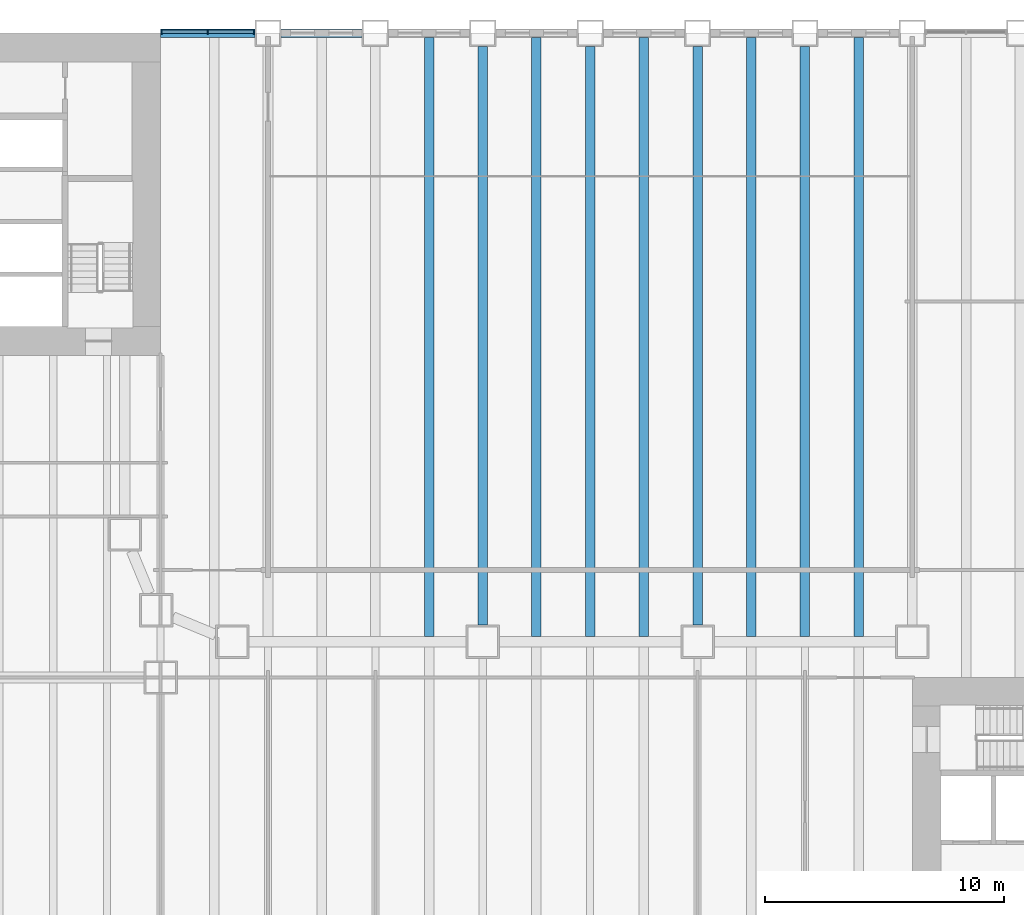
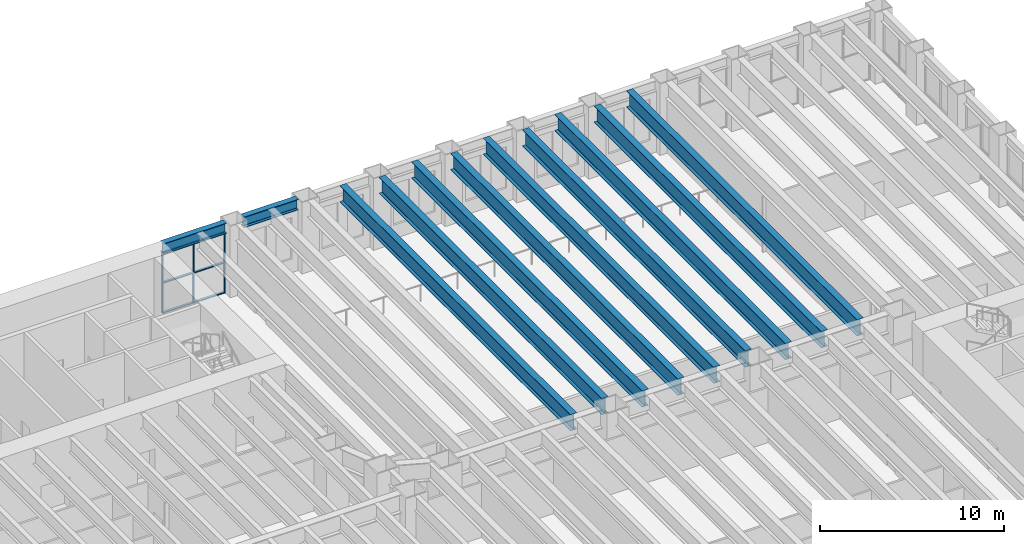
# One storey, part 2 of 19: 11 beams, 9 members, 1 element without a shape of its own.
"""IFC4 building model written with IfcOpenShell, lengths in metres."""

from ifc_helpers import new_model, si_unit, direction, frame, origin, origin_2d, place, context, subcontext, project, spatial, rectangle, i_section, extrude, material, material_profile, profile_set, type_object, element, aggregate, save


model = new_model("IFC4")

# Units and contexts
model_context = context("Model", 3, precision=1e-05, world=origin(), true_north=direction((0.0, 1.0)))
body_context = subcontext(model_context, "Body", "Model", "MODEL_VIEW")
ifc_project = project(units=[si_unit("LENGTHUNIT", "METRE"), si_unit("AREAUNIT", "SQUARE_METRE"), si_unit("VOLUMEUNIT", "CUBIC_METRE"), si_unit("PLANEANGLEUNIT", "RADIAN"), si_unit("MASSUNIT", "GRAM", prefix="KILO")], contexts=[model_context])

# Site, building, storey
site_placement = place(None, origin())
site = spatial("IfcSite", under=ifc_project, at=site_placement, CompositionType="ELEMENT")
building_placement = place(site_placement, origin())
building = spatial("IfcBuilding", under=site, at=building_placement, Name="Sennacour Bend Tower", CompositionType="ELEMENT")
storey_placement = place(building_placement, frame((0.0, 0.0, 14.0)))
storey = spatial("IfcBuildingStorey", under=building, at=storey_placement, Name="L02", CompositionType="ELEMENT", Elevation=14.0)

# Curtain wall, members
ifc_material_1 = material(Name="Bronze anodised aluminium curtain wall with clear glass", Category="aluminium")
curtain_wall_type = type_object("IfcCurtainWallType", Name="CURTAIN WALL NOTCH", PredefinedType="NOTDEFINED", material=ifc_material_1)
curtain_wall_placement = place(storey_placement, origin())
curtain_wall = element("IfcCurtainWall", 1, at=curtain_wall_placement, inside=storey, type_object=curtain_wall_type, Name="Podium glass wall L02", PredefinedType="NOTDEFINED")
ifc_material_2 = material(Name="Aluminium 6063-T6", Category="aluminium")
ifc_material_profile_1 = material_profile(ifc_material_2, rectangle(XDim=0.199951171875, YDim=0.06005859375, at=origin_2d()), Name="Aluminium 6063-T6", Category="aluminium")
ifc_profile_set_1 = profile_set([ifc_material_profile_1], Name="Aluminium 6063-T6")
member_type_1 = type_object("IfcMemberType", Name="CW-MULLION-200X60", PredefinedType="MULLION", material=ifc_profile_set_1)
member_1_placement = place(storey_placement, frame((26.419921875, 49.550048828125, 0.0), z_axis=(0.0, 0.0, 1.0), x_axis=(0.0, -1.0, 0.0)))
member_1 = element("IfcMember", 2, at=member_1_placement, type_object=member_type_1, Name="GW2 curtain wall mullion 1", PredefinedType="MULLION", context=body_context, shape_type="SweptSolid", body=[
    extrude(rectangle(XDim=0.199951171875, YDim=0.06005859375, at=origin_2d()), origin(), (0.0, 0.0, 1.0), 4.035888671875),
])
member_2_placement = place(storey_placement, frame((24.4755859375, 49.550048828125, 0.0), z_axis=(0.0, 0.0, 1.0), x_axis=(0.0, -1.0, 0.0)))
member_2 = element("IfcMember", 3, at=member_2_placement, type_object=member_type_1, Name="GW2 curtain wall mullion 2", PredefinedType="MULLION", context=body_context, shape_type="SweptSolid", body=[
    extrude(rectangle(XDim=0.199951171875, YDim=0.06005859375, at=origin_2d()), origin(), (0.0, 0.0, 1.0), 4.035888671875),
])
member_3_placement = place(storey_placement, frame((22.531005859375, 49.550048828125, 0.0), z_axis=(0.0, 0.0, 1.0), x_axis=(0.0, -1.0, 0.0)))
member_3 = element("IfcMember", 4, at=member_3_placement, type_object=member_type_1, Name="GW2 curtain wall mullion 3", PredefinedType="MULLION", context=body_context, shape_type="SweptSolid", body=[
    extrude(rectangle(XDim=0.199951171875, YDim=0.06005859375, at=origin_2d()), origin(), (0.0, 0.0, 1.0), 4.035888671875),
])
ifc_material_profile_2 = material_profile(ifc_material_2, rectangle(XDim=0.14990234375, YDim=0.06005859375, at=origin_2d()), Name="Aluminium 6063-T6", Category="aluminium")
ifc_profile_set_2 = profile_set([ifc_material_profile_2], Name="Aluminium 6063-T6")
member_type_2 = type_object("IfcMemberType", Name="CW-TRANSOM-150X60", PredefinedType="USERDEFINED", material=ifc_profile_set_2)
member_4_placement = place(storey_placement, frame((26.389892578125, 49.550048828125, 0.030029296875), z_axis=(-1.0, 0.0, 0.0), x_axis=(0.0, -1.0, 0.0)))
member_4 = element("IfcMember", 5, at=member_4_placement, type_object=member_type_2, Name="GW2 curtain wall transom 1.1", ObjectType="TRANSOM", PredefinedType="USERDEFINED", context=body_context, shape_type="SweptSolid", body=[
    extrude(rectangle(XDim=0.14990234375, YDim=0.06005859375, at=origin_2d()), origin(), (0.0, 0.0, 1.0), 1.88427734375),
])
member_5_placement = place(storey_placement, frame((26.389892578125, 49.550048828125, 2.01806640625), z_axis=(-1.0, 0.0, 0.0), x_axis=(0.0, -1.0, 0.0)))
member_5 = element("IfcMember", 6, at=member_5_placement, type_object=member_type_2, Name="GW2 curtain wall transom 1.2", ObjectType="TRANSOM", PredefinedType="USERDEFINED", context=body_context, shape_type="SweptSolid", body=[
    extrude(rectangle(XDim=0.14990234375, YDim=0.06005859375, at=origin_2d()), origin(), (0.0, 0.0, 1.0), 1.88427734375),
])
member_6_placement = place(storey_placement, frame((26.389892578125, 49.550048828125, 4.006103515625), z_axis=(-1.0, 0.0, 0.0), x_axis=(0.0, -1.0, 0.0)))
member_6 = element("IfcMember", 7, at=member_6_placement, type_object=member_type_2, Name="GW2 curtain wall transom 1.3", ObjectType="TRANSOM", PredefinedType="USERDEFINED", context=body_context, shape_type="SweptSolid", body=[
    extrude(rectangle(XDim=0.14990234375, YDim=0.06005859375, at=origin_2d()), origin(), (0.0, 0.0, 1.0), 1.88427734375),
])
member_7_placement = place(storey_placement, frame((24.445556640625, 49.550048828125, 0.030029296875), z_axis=(-1.0, 0.0, 0.0), x_axis=(0.0, -1.0, 0.0)))
member_7 = element("IfcMember", 8, at=member_7_placement, type_object=member_type_2, Name="GW2 curtain wall transom 2.1", ObjectType="TRANSOM", PredefinedType="USERDEFINED", context=body_context, shape_type="SweptSolid", body=[
    extrude(rectangle(XDim=0.14990234375, YDim=0.06005859375, at=origin_2d()), origin(), (0.0, 0.0, 1.0), 1.884521484375),
])
member_8_placement = place(storey_placement, frame((24.445556640625, 49.550048828125, 2.01806640625), z_axis=(-1.0, 0.0, 0.0), x_axis=(0.0, -1.0, 0.0)))
member_8 = element("IfcMember", 9, at=member_8_placement, type_object=member_type_2, Name="GW2 curtain wall transom 2.2", ObjectType="TRANSOM", PredefinedType="USERDEFINED", context=body_context, shape_type="SweptSolid", body=[
    extrude(rectangle(XDim=0.14990234375, YDim=0.06005859375, at=origin_2d()), origin(), (0.0, 0.0, 1.0), 1.884521484375),
])
member_9_placement = place(storey_placement, frame((24.445556640625, 49.550048828125, 4.006103515625), z_axis=(-1.0, 0.0, 0.0), x_axis=(0.0, -1.0, 0.0)))
member_9 = element("IfcMember", 10, at=member_9_placement, type_object=member_type_2, Name="GW2 curtain wall transom 2.3", ObjectType="TRANSOM", PredefinedType="USERDEFINED", context=body_context, shape_type="SweptSolid", body=[
    extrude(rectangle(XDim=0.14990234375, YDim=0.06005859375, at=origin_2d()), origin(), (0.0, 0.0, 1.0), 1.884521484375),
])
aggregate(curtain_wall, [member_1, member_2, member_3, member_4, member_5, member_6, member_7, member_8, member_9])

# Beams
ifc_material_3 = material(Name="Steel ASTM A992 Grade 50", Category="steel")
ifc_material_profile_3 = material_profile(ifc_material_3, i_section(OverallWidth=0.40087890625, OverallDepth=1.090087890625, WebThickness=0.01806640625, FlangeThickness=0.031005859375, FilletRadius=0.02001953125, at=origin_2d()), Name="Steel ASTM A992 Grade 50", Category="steel")
ifc_profile_set_3 = profile_set([ifc_material_profile_3], Name="Steel ASTM A992 Grade 50")
beam_type_1 = type_object("IfcBeamType", Name="Notch floor beam W1100X343", PredefinedType="BEAM", material=ifc_profile_set_3)
beam_1_placement = place(storey_placement, frame((33.75, 24.22509765625, 4.205078125), z_axis=(0.0, 1.0, 0.0), x_axis=(-1.0, 0.0, 0.0)))
element("IfcBeam", 11, at=beam_1_placement, inside=storey, type_object=beam_type_1, Name="Floor beam FBM4 L03-031", PredefinedType="BEAM", context=body_context, shape_type="SweptSolid", body=[
    extrude(i_section(OverallWidth=0.40087890625, OverallDepth=1.090087890625, WebThickness=0.01806640625, FlangeThickness=0.031005859375, FilletRadius=0.02001953125, at=origin_2d()), origin(), (0.0, 0.0, 1.0), 25.096923828125),
])
beam_2_placement = place(storey_placement, frame((36.0, 24.699951171875, 4.205078125), z_axis=(0.0, 1.0, 0.0), x_axis=(-1.0, 0.0, 0.0)))
element("IfcBeam", 12, at=beam_2_placement, inside=storey, type_object=beam_type_1, Name="Floor beam FBM4 L03-033", PredefinedType="BEAM", context=body_context, shape_type="SweptSolid", body=[
    extrude(i_section(OverallWidth=0.40087890625, OverallDepth=1.090087890625, WebThickness=0.01806640625, FlangeThickness=0.031005859375, FilletRadius=0.02001953125, at=origin_2d()), origin(), (0.0, 0.0, 1.0), 24.25),
])
beam_3_placement = place(storey_placement, frame((38.25, 24.22509765625, 4.205078125), z_axis=(0.0, 1.0, 0.0), x_axis=(-1.0, 0.0, 0.0)))
element("IfcBeam", 13, at=beam_3_placement, inside=storey, type_object=beam_type_1, Name="Floor beam FBM4 L03-035", PredefinedType="BEAM", context=body_context, shape_type="SweptSolid", body=[
    extrude(i_section(OverallWidth=0.40087890625, OverallDepth=1.090087890625, WebThickness=0.01806640625, FlangeThickness=0.031005859375, FilletRadius=0.02001953125, at=origin_2d()), origin(), (0.0, 0.0, 1.0), 25.096923828125),
])
beam_4_placement = place(storey_placement, frame((40.5, 24.22509765625, 4.205078125), z_axis=(0.0, 1.0, 0.0), x_axis=(-1.0, 0.0, 0.0)))
element("IfcBeam", 14, at=beam_4_placement, inside=storey, type_object=beam_type_1, Name="Floor beam FBM4 L03-037", PredefinedType="BEAM", context=body_context, shape_type="SweptSolid", body=[
    extrude(i_section(OverallWidth=0.40087890625, OverallDepth=1.090087890625, WebThickness=0.01806640625, FlangeThickness=0.031005859375, FilletRadius=0.02001953125, at=origin_2d()), origin(), (0.0, 0.0, 1.0), 24.724853515625),
])
beam_5_placement = place(storey_placement, frame((42.75, 24.22509765625, 4.205078125), z_axis=(0.0, 1.0, 0.0), x_axis=(-1.0, 0.0, 0.0)))
element("IfcBeam", 15, at=beam_5_placement, inside=storey, type_object=beam_type_1, Name="Floor beam FBM4 L03-039", PredefinedType="BEAM", context=body_context, shape_type="SweptSolid", body=[
    extrude(i_section(OverallWidth=0.40087890625, OverallDepth=1.090087890625, WebThickness=0.01806640625, FlangeThickness=0.031005859375, FilletRadius=0.02001953125, at=origin_2d()), origin(), (0.0, 0.0, 1.0), 25.096923828125),
])
beam_6_placement = place(storey_placement, frame((45.0, 24.699951171875, 4.205078125), z_axis=(0.0, 1.0, 0.0), x_axis=(-1.0, 0.0, 0.0)))
element("IfcBeam", 16, at=beam_6_placement, inside=storey, type_object=beam_type_1, Name="Floor beam FBM4 L03-041", PredefinedType="BEAM", context=body_context, shape_type="SweptSolid", body=[
    extrude(i_section(OverallWidth=0.40087890625, OverallDepth=1.090087890625, WebThickness=0.01806640625, FlangeThickness=0.031005859375, FilletRadius=0.02001953125, at=origin_2d()), origin(), (0.0, 0.0, 1.0), 24.25),
])
beam_7_placement = place(storey_placement, frame((47.25, 24.22509765625, 4.205078125), z_axis=(0.0, 1.0, 0.0), x_axis=(-1.0, 0.0, 0.0)))
element("IfcBeam", 17, at=beam_7_placement, inside=storey, type_object=beam_type_1, Name="Floor beam FBM4 L03-043", PredefinedType="BEAM", context=body_context, shape_type="SweptSolid", body=[
    extrude(i_section(OverallWidth=0.40087890625, OverallDepth=1.090087890625, WebThickness=0.01806640625, FlangeThickness=0.031005859375, FilletRadius=0.02001953125, at=origin_2d()), origin(), (0.0, 0.0, 1.0), 25.096923828125),
])
beam_8_placement = place(storey_placement, frame((49.5, 24.22509765625, 4.205078125), z_axis=(0.0, 1.0, 0.0), x_axis=(-1.0, 0.0, 0.0)))
element("IfcBeam", 18, at=beam_8_placement, inside=storey, type_object=beam_type_1, Name="Floor beam FBM4 L03-045", PredefinedType="BEAM", context=body_context, shape_type="SweptSolid", body=[
    extrude(i_section(OverallWidth=0.40087890625, OverallDepth=1.090087890625, WebThickness=0.01806640625, FlangeThickness=0.031005859375, FilletRadius=0.02001953125, at=origin_2d()), origin(), (0.0, 0.0, 1.0), 24.724853515625),
])
beam_9_placement = place(storey_placement, frame((51.75, 24.22509765625, 4.205078125), z_axis=(0.0, 1.0, 0.0), x_axis=(-1.0, 0.0, 0.0)))
element("IfcBeam", 19, at=beam_9_placement, inside=storey, type_object=beam_type_1, Name="Floor beam FBM4 L03-047", PredefinedType="BEAM", context=body_context, shape_type="SweptSolid", body=[
    extrude(i_section(OverallWidth=0.40087890625, OverallDepth=1.090087890625, WebThickness=0.01806640625, FlangeThickness=0.031005859375, FilletRadius=0.02001953125, at=origin_2d()), origin(), (0.0, 0.0, 1.0), 25.096923828125),
])
ifc_material_profile_4 = material_profile(ifc_material_3, i_section(OverallWidth=0.35595703125, OverallDepth=0.714111328125, WebThickness=0.01904296875, FlangeThickness=0.033935546875, FilletRadius=0.02001953125, at=origin_2d()), Name="Steel ASTM A992 Grade 50", Category="steel")
ifc_profile_set_4 = profile_set([ifc_material_profile_4], Name="Steel ASTM A992 Grade 50")
beam_type_2 = type_object("IfcBeamType", Name="Spandrel beam W690X289", PredefinedType="SPANDREL", material=ifc_profile_set_4)
beam_10_placement = place(storey_placement, frame((30.949951171875, 49.5, 4.39306640625), z_axis=(-1.0, 0.0, 0.0), x_axis=(0.0, -1.0, 0.0)))
element("IfcBeam", 20, at=beam_10_placement, inside=storey, type_object=beam_type_2, Name="Spandrel beam SP1 L03-014", PredefinedType="SPANDREL", context=body_context, shape_type="SweptSolid", body=[
    extrude(i_section(OverallWidth=0.35595703125, OverallDepth=0.714111328125, WebThickness=0.01904296875, FlangeThickness=0.033935546875, FilletRadius=0.02001953125, at=origin_2d()), origin(), (0.0, 0.0, 1.0), 3.39990234375),
])
beam_11_placement = place(storey_placement, frame((26.449951171875, 49.5, 4.39306640625), z_axis=(-1.0, 0.0, 0.0), x_axis=(0.0, -1.0, 0.0)))
element("IfcBeam", 21, at=beam_11_placement, inside=storey, type_object=beam_type_2, Name="Spandrel beam SP1 L03-015", PredefinedType="SPANDREL", context=body_context, shape_type="SweptSolid", body=[
    extrude(i_section(OverallWidth=0.35595703125, OverallDepth=0.714111328125, WebThickness=0.01904296875, FlangeThickness=0.033935546875, FilletRadius=0.02001953125, at=origin_2d()), origin(), (0.0, 0.0, 1.0), 3.949951171875),
])

save(model, "model.ifc")
